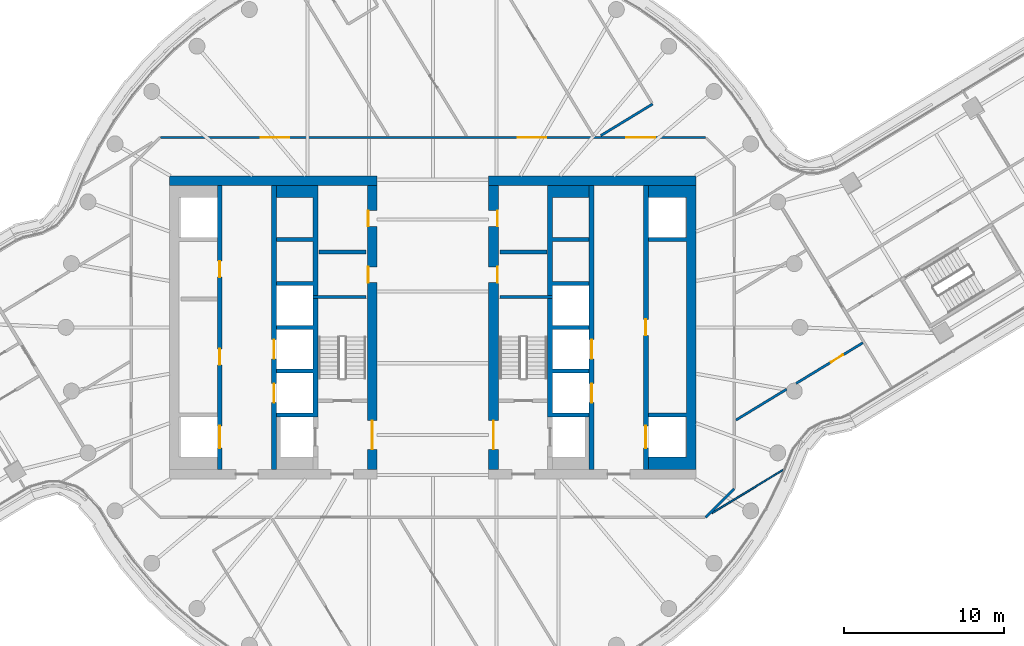
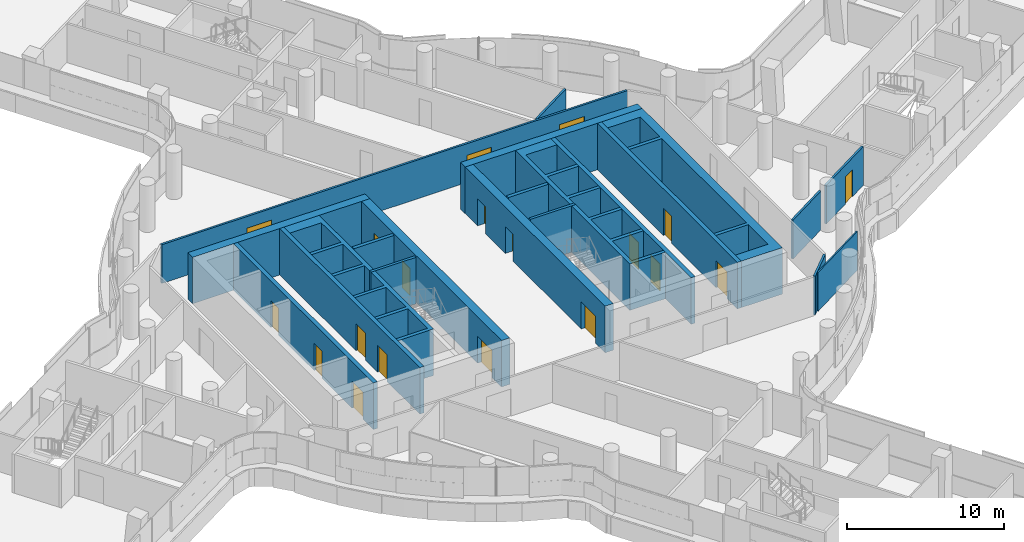
# One storey, part 23 of 35: 21 walls, 19 doors, 19 openings.
"""IFC4 building model written with IfcOpenShell, lengths in metres."""

import ifcopenshell
import ifcopenshell.guid

model = None  # the IFC model being written
_history = None  # IfcOwnerHistory: only IFC2X3 demands one
_inside = {}  # id of a spatial element -> (the spatial element, [elements in it])
_under = {}  # id of a project, library or spatial element -> (it, [spatial elements below it])
_declared = {}  # id of a project -> (the project, [libraries it declares])
_typed = {}  # id of a type object -> (the type object, [elements of that type])
_made_of = {}  # id of a material, layer set ... -> (it, [elements and type objects made of it])


def new_model(schema):
    """Start an empty IFC model of exactly this schema.

    Asked for "IFC4X3", IfcOpenShell would pick the latest addendum, in which some entities
    have other attributes; the version numbers below select the first issue.
    IFC2X3 requires an IfcOwnerHistory on every rooted entity: one is made here for all.
    """
    global model, _history
    if schema == "IFC4X3":
        model = ifcopenshell.file(schema_version=(4, 3, 0, 0))
    else:
        model = ifcopenshell.file(schema=schema)
    _inside.clear()
    _under.clear()
    _declared.clear()
    _typed.clear()
    _made_of.clear()
    _history = None
    if model.schema == "IFC2X3":
        org = make("IfcOrganization", Name="unknown")
        user = make(
            "IfcPersonAndOrganization",
            ThePerson=make("IfcPerson", FamilyName="unknown"),
            TheOrganization=org,
        )
        app = make(
            "IfcApplication",
            ApplicationDeveloper=org,
            Version="unknown",
            ApplicationFullName="unknown",
            ApplicationIdentifier="unknown",
        )
        _history = make(
            "IfcOwnerHistory",
            OwningUser=user,
            OwningApplication=app,
            ChangeAction="ADDED",
            CreationDate=0,
        )
    return model


def make(cls, **values):
    """One entity of the class cls with the attributes given. An attribute that is None is left unset."""
    return model.create_entity(
        cls, **{name: value for name, value in values.items() if value is not None}
    )


def rooted(cls, **values):
    """An entity with a GlobalId (a new one), such as an element, a storey or a relation."""
    return make(cls, GlobalId=ifcopenshell.guid.new(), OwnerHistory=_history, **values)


def si_unit(unit_type, name, prefix=None):
    """IfcSIUnit, for example si_unit("LENGTHUNIT", "METRE", prefix="MILLI")."""
    return make("IfcSIUnit", UnitType=unit_type, Prefix=prefix, Name=name)


def assignment(units):
    """IfcUnitAssignment: the units of a project."""
    return None if units is None else make("IfcUnitAssignment", Units=units)


def point(xyz):
    """IfcCartesianPoint."""
    return None if xyz is None else make("IfcCartesianPoint", Coordinates=xyz)


def direction(xyz):
    """IfcDirection."""
    return None if xyz is None else make("IfcDirection", DirectionRatios=xyz)


def frame(location, z_axis=None, x_axis=None):
    """IfcAxis2Placement3D, a coordinate frame: its origin and axes. An axis left out is left unset."""
    return make(
        "IfcAxis2Placement3D",
        Location=point(location),
        Axis=direction(z_axis),
        RefDirection=direction(x_axis),
    )


def frame_2d(location, x_axis=None):
    """IfcAxis2Placement2D, a coordinate frame in the plane: its origin and x axis."""
    return make(
        "IfcAxis2Placement2D", Location=point(location), RefDirection=direction(x_axis)
    )


def origin():
    """The frame at (0, 0, 0) with its axes left unset."""
    return frame((0.0, 0.0, 0.0))


def place(relative_to, where):
    """IfcLocalPlacement: puts the frame where relative to a parent placement (None: the world)."""
    return make(
        "IfcLocalPlacement", PlacementRelTo=relative_to, RelativePlacement=where
    )


def context(
    kind, dimensions, precision=None, world=None, true_north=None, identifier=None
):
    """IfcGeometricRepresentationContext, for example the 3D "Model" context."""
    return make(
        "IfcGeometricRepresentationContext",
        ContextIdentifier=identifier,
        ContextType=kind,
        CoordinateSpaceDimension=dimensions,
        Precision=precision,
        WorldCoordinateSystem=world,
        TrueNorth=true_north,
    )


def subcontext(parent, identifier, kind, view, scale=None):
    """IfcGeometricRepresentationSubContext, for example "Body" below "Model"."""
    return make(
        "IfcGeometricRepresentationSubContext",
        ContextIdentifier=identifier,
        ContextType=kind,
        ParentContext=parent,
        TargetScale=scale,
        TargetView=view,
    )


def project(units=None, contexts=None):
    """IfcProject with its units and contexts."""
    return rooted(
        "IfcProject",
        Name="project",
        RepresentationContexts=contexts,
        UnitsInContext=assignment(units),
    )


def spatial(cls, under=None, at=None, **own):
    """A site, building, storey or space (cls), placed at a placement, below another one or the project."""
    s = rooted(cls, ObjectPlacement=at, **own)
    if under is not None:
        _under.setdefault(under.id(), (under, []))[1].append(s)
    return s


def polyline(points):
    """IfcPolyline through the points."""
    return make("IfcPolyline", Points=[point(p) for p in points])


def profile(cls, at=None, kind="AREA", **sizes):
    """A parametric profile (cls). Its sizes go by their IFC names, for example OverallWidth=200.0."""
    return make(cls, ProfileType=kind, Position=at, **sizes)


def rectangle(**sizes):
    """IfcRectangleProfileDef."""
    return profile("IfcRectangleProfileDef", **sizes)


def outline(outer, holes=None, kind="AREA"):
    """IfcArbitraryClosedProfileDef: a profile drawn as a closed curve; with holes, ...WithVoids."""
    if holes is None:
        return make("IfcArbitraryClosedProfileDef", ProfileType=kind, OuterCurve=outer)
    return make(
        "IfcArbitraryProfileDefWithVoids",
        ProfileType=kind,
        OuterCurve=outer,
        InnerCurves=holes,
    )


def extrude(swept, where, along, depth):
    """IfcExtrudedAreaSolid: the profile swept, set in the frame where, extruded along a direction by depth."""
    return make(
        "IfcExtrudedAreaSolid",
        SweptArea=swept,
        Position=where,
        ExtrudedDirection=direction(along),
        Depth=depth,
    )


def shape(context_of_items, identifier, shape_type, items):
    """IfcShapeRepresentation: the items that make up one representation, for example the "Body"."""
    return make(
        "IfcShapeRepresentation",
        ContextOfItems=context_of_items,
        RepresentationIdentifier=identifier,
        RepresentationType=shape_type,
        Items=items,
    )


def material(Name=None, Category=None):
    """IfcMaterial."""
    return make("IfcMaterial", Name=Name, Category=Category)


def layer(
    of_material, thickness, ventilated=None, Name=None, Category=None, Priority=None
):
    """IfcMaterialLayer: one layer of a wall or slab, of a material (None: an air gap)."""
    return make(
        "IfcMaterialLayer",
        Material=of_material,
        LayerThickness=thickness,
        IsVentilated=ventilated,
        Name=Name,
        Category=Category,
        Priority=Priority,
    )


def layer_set(layers, Name=None):
    """IfcMaterialLayerSet."""
    return make("IfcMaterialLayerSet", MaterialLayers=layers, LayerSetName=Name)


def made_of(thing, what):
    """Note that an element or type object is made of a material, layer set ...; save() writes the relation."""
    if what is not None:
        _made_of.setdefault(what.id(), (what, []))[1].append(thing)
    return thing


def type_object(cls, material=None, **own):
    """A type object (cls), such as IfcWallType, which elements share."""
    return made_of(rooted(cls, **own), material)


def element(
    cls,
    number,
    at=None,
    inside=None,
    cuts=None,
    type_object=None,
    material=None,
    context=None,
    identifier="Body",
    shape_type=None,
    held_by="IfcProductDefinitionShape",
    body=None,
    shapes=None,
    **own,
):
    """One element of the class cls, such as IfcWall. Its Tag is "e" and its number.

    at: its placement. inside: the storey or other place that contains it. cuts: it is an
    opening in that element (IfcRelVoidsElement). A single representation is given by context,
    identifier, shape_type and body (its items); several are given by shapes. held_by: the class
    of the entity that holds the representations. save() writes the other relations.
    """
    e = rooted(cls, Tag="e%d" % number, ObjectPlacement=at, **own)
    if body is not None:
        shapes = [shape(context, identifier, shape_type, body)]
    if shapes is not None:
        e.Representation = make(held_by, Representations=shapes)
    if inside is not None:
        _inside.setdefault(inside.id(), (inside, []))[1].append(e)
    if cuts is not None:
        rooted(
            "IfcRelVoidsElement", RelatingBuildingElement=cuts, RelatedOpeningElement=e
        )
    if type_object is not None:
        _typed.setdefault(type_object.id(), (type_object, []))[1].append(e)
    return made_of(e, material)


def fill(opening, filler):
    """IfcRelFillsElement: the door or window that sits in an opening."""
    return rooted(
        "IfcRelFillsElement",
        RelatingOpeningElement=opening,
        RelatedBuildingElement=filler,
    )


def aggregate(whole, parts):
    """IfcRelAggregates: a whole, such as a stair, and the parts it consists of."""
    return rooted("IfcRelAggregates", RelatingObject=whole, RelatedObjects=parts)


def save(model, path):
    """Write the relations noted so far, then the file.

    IfcRelAggregates (storeys below a building ...), IfcRelContainedInSpatialStructure (elements
    in a storey), IfcRelDefinesByType, IfcRelAssociatesMaterial and IfcRelDeclares: one each for
    every whole, place, type object, material and project.
    """
    for whole, parts in _under.values():
        aggregate(whole, parts)
    for where, things in _inside.values():
        rooted(
            "IfcRelContainedInSpatialStructure",
            RelatedElements=things,
            RelatingStructure=where,
        )
    for kind, things in _typed.values():
        rooted("IfcRelDefinesByType", RelatedObjects=things, RelatingType=kind)
    for what, things in _made_of.values():
        rooted("IfcRelAssociatesMaterial", RelatedObjects=things, RelatingMaterial=what)
    for by, libraries in _declared.values():
        rooted("IfcRelDeclares", RelatingContext=by, RelatedDefinitions=libraries)
    model.write(path)


model = new_model("IFC4")

# Units and contexts
model_context = context("Model", 3, precision=1e-05, world=origin(), true_north=direction((0.0, 1.0)))
body_context = subcontext(model_context, "Body", "Model", "MODEL_VIEW")
ifc_project = project(units=[si_unit("LENGTHUNIT", "METRE"), si_unit("AREAUNIT", "SQUARE_METRE"), si_unit("VOLUMEUNIT", "CUBIC_METRE"), si_unit("PLANEANGLEUNIT", "RADIAN"), si_unit("MASSUNIT", "GRAM", prefix="KILO")], contexts=[model_context])

# Site, building, storey
site_placement = place(None, origin())
site = spatial("IfcSite", under=ifc_project, at=site_placement, CompositionType="ELEMENT")
building_placement = place(site_placement, origin())
building = spatial("IfcBuilding", under=site, at=building_placement, Name="Tamarind Cross Interchange Tower", CompositionType="ELEMENT")
storey_placement = place(building_placement, frame((0.0, 0.0, 148.0)))
storey = spatial("IfcBuildingStorey", under=building, at=storey_placement, Name="L36", CompositionType="ELEMENT", Elevation=148.0)

# Wall
ifc_material_1 = material(Name="Concrete C60", Category="concrete")
ifc_layer_1 = layer(ifc_material_1, 0.60009765625)
ifc_layer_set_1 = layer_set([ifc_layer_1], Name="Concrete C60")
wall_type_1 = type_object("IfcWallType", Name="Core wall 600 mm Concrete C60", PredefinedType="SHEAR", material=ifc_layer_set_1)
wall_1_placement = place(storey_placement, frame((-16.5, 9.199951171875, 0.0), z_axis=(0.0, 0.0, 1.0), x_axis=(1.0, 0.0, 0.0)))
element("IfcWall", 1, at=wall_1_placement, inside=storey, type_object=wall_type_1, Name="Core wall CWL-L36-W-NE", PredefinedType="SHEAR", context=body_context, shape_type="SweptSolid", body=[
    extrude(rectangle(XDim=13.0, YDim=0.60009765625, at=frame_2d((6.5, 0.0))), origin(), (0.0, 0.0, 1.0), 3.610107421875),
])

# Wall, openings, doors
wall_2_placement = place(storey_placement, frame((-3.800048828125, -8.89990234375, 0.0), z_axis=(0.0, 0.0, 1.0), x_axis=(0.0, 1.0, 0.0)))
wall_2 = element("IfcWall", 2, at=wall_2_placement, inside=storey, type_object=wall_type_1, Name="Core wall CWL-L36-W-IN", PredefinedType="SHEAR", context=body_context, shape_type="SweptSolid", body=[
    extrude(rectangle(XDim=17.7998046875, YDim=0.60009765625, at=frame_2d((8.89990234375, 0.0))), origin(), (0.0, 0.0, 1.0), 3.610107421875),
])
opening_1_placement = place(wall_2_placement, frame((1.25, 0.0, 0.0)))
opening_1 = element("IfcOpeningElement", 3, at=opening_1_placement, cuts=wall_2, Name="Opening DCW4", PredefinedType="OPENING", context=body_context, shape_type="SweptSolid", body=[
    extrude(rectangle(XDim=1.800048828125, YDim=2.10009765625, at=frame_2d((0.89990234375, 1.050048828125))), frame((0.0, 0.31005859375, 0.0), z_axis=(0.0, -1.0, 0.0), x_axis=(1.0, 0.0, 0.0)), (0.0, 0.0, 1.0), 0.6201171875),
])
opening_2_placement = place(wall_2_placement, frame((11.697509765625, 0.0, 0.0)))
opening_2 = element("IfcOpeningElement", 4, at=opening_2_placement, cuts=wall_2, Name="Opening DCW5", PredefinedType="OPENING", context=body_context, shape_type="SweptSolid", body=[
    extrude(rectangle(XDim=1.0, YDim=2.10009765625, at=frame_2d((0.5, 1.050048828125))), frame((0.0, 0.31005859375, 0.0), z_axis=(0.0, -1.0, 0.0), x_axis=(1.0, 0.0, 0.0)), (0.0, 0.0, 1.0), 0.6201171875),
])
opening_3_placement = place(wall_2_placement, frame((15.222412109375, 0.0, 0.0)))
opening_3 = element("IfcOpeningElement", 5, at=opening_3_placement, cuts=wall_2, Name="Opening DCW5", PredefinedType="OPENING", context=body_context, shape_type="SweptSolid", body=[
    extrude(rectangle(XDim=1.0, YDim=2.10009765625, at=frame_2d((0.5, 1.050048828125))), frame((0.0, 0.31005859375, 0.0), z_axis=(0.0, -1.0, 0.0), x_axis=(1.0, 0.0, 0.0)), (0.0, 0.0, 1.0), 0.6201171875),
])
ifc_material_2 = material(Name="Steel, fire-resisting", Category="steel")
door_type_1 = type_object("IfcDoorType", Name="Core fire door 1000 x 2100 FD90", OperationType="SINGLE_SWING_LEFT", PredefinedType="DOOR", material=ifc_material_2)
door_1_placement = place(opening_2_placement, origin())
door_1 = element("IfcDoor", 6, at=door_1_placement, inside=storey, type_object=door_type_1, Name="L36 comms room door", OperationType="SINGLE_SWING_LEFT", OverallHeight=2.10009765625, OverallWidth=1.0, PredefinedType="DOOR", context=body_context, shape_type="SweptSolid", body=[
    extrude(rectangle(XDim=1.0, YDim=2.10009765625, at=frame_2d((0.5, 1.050048828125))), frame((0.0, 0.27490234375, 0.0), z_axis=(0.0, -1.0, 0.0), x_axis=(1.0, 0.0, 0.0)), (0.0, 0.0, 1.0), 0.050048828125),
])
fill(opening_2, door_1)
door_2_placement = place(opening_3_placement, origin())
door_2 = element("IfcDoor", 7, at=door_2_placement, inside=storey, type_object=door_type_1, Name="L36 cleaner's store door", OperationType="SINGLE_SWING_LEFT", OverallHeight=2.10009765625, OverallWidth=1.0, PredefinedType="DOOR", context=body_context, shape_type="SweptSolid", body=[
    extrude(rectangle(XDim=1.0, YDim=2.10009765625, at=frame_2d((0.5, 1.050048828125))), frame((0.0, 0.27490234375, 0.0), z_axis=(0.0, -1.0, 0.0), x_axis=(1.0, 0.0, 0.0)), (0.0, 0.0, 1.0), 0.050048828125),
])
fill(opening_3, door_2)
door_type_2 = type_object("IfcDoorType", Name="Core fire door 1800 x 2100 FD90", OperationType="SINGLE_SWING_LEFT", PredefinedType="DOOR", material=ifc_material_2)
door_3_placement = place(opening_1_placement, origin())
door_3 = element("IfcDoor", 8, at=door_3_placement, inside=storey, type_object=door_type_2, Name="L36 firefighting lobby door", OperationType="SINGLE_SWING_LEFT", OverallHeight=2.10009765625, OverallWidth=1.800048828125, PredefinedType="DOOR", context=body_context, shape_type="SweptSolid", body=[
    extrude(rectangle(XDim=1.800048828125, YDim=2.10009765625, at=frame_2d((0.89990234375, 1.050048828125))), frame((0.0, 0.02490234375, 0.0), z_axis=(0.0, -1.0, 0.0), x_axis=(1.0, 0.0, 0.0)), (0.0, 0.0, 1.0), 0.050048828125),
])
fill(opening_1, door_3)

# Walls
wall_3_placement = place(storey_placement, origin())
element("IfcWall", 9, at=wall_3_placement, inside=storey, type_object=wall_type_1, Name="Core wall CWL-L36-E-A", PredefinedType="SHEAR", context=body_context, shape_type="SweptSolid", body=[
    extrude(outline(polyline([(13.5, -8.125), (13.5, -8.89990234375), (15.89990234375, -8.89990234375), (16.5, -8.89990234375), (16.5, 8.89990234375), (15.89990234375, 8.89990234375), (13.5, 8.89990234375), (13.5, 8.125), (15.89990234375, 8.125), (15.89990234375, 5.625), (13.5, 5.625), (13.5, 5.375), (15.89990234375, 5.375), (15.89990234375, -5.375), (13.5, -5.375), (13.5, -5.625), (15.89990234375, -5.625), (15.89990234375, -8.125), (13.5, -8.125)])), origin(), (0.0, 0.0, 1.0), 3.610107421875),
])
wall_4_placement = place(storey_placement, frame((16.5, 9.199951171875, 0.0), z_axis=(0.0, 0.0, 1.0), x_axis=(-1.0, 0.0, 0.0)))
element("IfcWall", 10, at=wall_4_placement, inside=storey, type_object=wall_type_1, Name="Core wall CWL-L36-E-NE", PredefinedType="SHEAR", context=body_context, shape_type="SweptSolid", body=[
    extrude(rectangle(XDim=13.0, YDim=0.60009765625, at=frame_2d((6.5, 0.0))), origin(), (0.0, 0.0, 1.0), 3.610107421875),
])

# Wall, openings, doors
wall_5_placement = place(storey_placement, frame((3.800048828125, -8.89990234375, 0.0), z_axis=(0.0, 0.0, 1.0), x_axis=(0.0, 1.0, 0.0)))
wall_5 = element("IfcWall", 11, at=wall_5_placement, inside=storey, type_object=wall_type_1, Name="Core wall CWL-L36-E-IN", PredefinedType="SHEAR", context=body_context, shape_type="SweptSolid", body=[
    extrude(rectangle(XDim=17.7998046875, YDim=0.60009765625, at=frame_2d((8.89990234375, 0.0))), origin(), (0.0, 0.0, 1.0), 3.610107421875),
])
opening_4_placement = place(wall_5_placement, frame((1.25, 0.0, 0.0)))
opening_4 = element("IfcOpeningElement", 12, at=opening_4_placement, cuts=wall_5, Name="Opening DCE4", PredefinedType="OPENING", context=body_context, shape_type="SweptSolid", body=[
    extrude(rectangle(XDim=1.800048828125, YDim=2.10009765625, at=frame_2d((0.89990234375, 1.050048828125))), frame((0.0, 0.31005859375, 0.0), z_axis=(0.0, -1.0, 0.0), x_axis=(1.0, 0.0, 0.0)), (0.0, 0.0, 1.0), 0.6201171875),
])
opening_5_placement = place(wall_5_placement, frame((11.697509765625, 0.0, 0.0)))
opening_5 = element("IfcOpeningElement", 13, at=opening_5_placement, cuts=wall_5, Name="Opening DCE5", PredefinedType="OPENING", context=body_context, shape_type="SweptSolid", body=[
    extrude(rectangle(XDim=1.0, YDim=2.10009765625, at=frame_2d((0.5, 1.050048828125))), frame((0.0, 0.31005859375, 0.0), z_axis=(0.0, -1.0, 0.0), x_axis=(1.0, 0.0, 0.0)), (0.0, 0.0, 1.0), 0.6201171875),
])
opening_6_placement = place(wall_5_placement, frame((15.222412109375, 0.0, 0.0)))
opening_6 = element("IfcOpeningElement", 14, at=opening_6_placement, cuts=wall_5, Name="Opening DCE5", PredefinedType="OPENING", context=body_context, shape_type="SweptSolid", body=[
    extrude(rectangle(XDim=1.0, YDim=2.10009765625, at=frame_2d((0.5, 1.050048828125))), frame((0.0, 0.31005859375, 0.0), z_axis=(0.0, -1.0, 0.0), x_axis=(1.0, 0.0, 0.0)), (0.0, 0.0, 1.0), 0.6201171875),
])
door_4_placement = place(opening_5_placement, origin())
door_4 = element("IfcDoor", 15, at=door_4_placement, inside=storey, type_object=door_type_1, Name="L36 comms room door", OperationType="SINGLE_SWING_LEFT", OverallHeight=2.10009765625, OverallWidth=1.0, PredefinedType="DOOR", context=body_context, shape_type="SweptSolid", body=[
    extrude(rectangle(XDim=1.0, YDim=2.10009765625, at=frame_2d((0.5, 1.050048828125))), frame((0.0, -0.22509765625, 0.0), z_axis=(0.0, -1.0, 0.0), x_axis=(1.0, 0.0, 0.0)), (0.0, 0.0, 1.0), 0.050048828125),
])
fill(opening_5, door_4)
door_5_placement = place(opening_6_placement, origin())
door_5 = element("IfcDoor", 16, at=door_5_placement, inside=storey, type_object=door_type_1, Name="L36 cleaner's store door", OperationType="SINGLE_SWING_LEFT", OverallHeight=2.10009765625, OverallWidth=1.0, PredefinedType="DOOR", context=body_context, shape_type="SweptSolid", body=[
    extrude(rectangle(XDim=1.0, YDim=2.10009765625, at=frame_2d((0.5, 1.050048828125))), frame((0.0, -0.22509765625, 0.0), z_axis=(0.0, -1.0, 0.0), x_axis=(1.0, 0.0, 0.0)), (0.0, 0.0, 1.0), 0.050048828125),
])
fill(opening_6, door_5)
door_6_placement = place(opening_4_placement, origin())
door_6 = element("IfcDoor", 17, at=door_6_placement, inside=storey, type_object=door_type_2, Name="L36 firefighting lobby door", OperationType="SINGLE_SWING_LEFT", OverallHeight=2.10009765625, OverallWidth=1.800048828125, PredefinedType="DOOR", context=body_context, shape_type="SweptSolid", body=[
    extrude(rectangle(XDim=1.800048828125, YDim=2.10009765625, at=frame_2d((0.89990234375, 1.050048828125))), frame((0.0, 0.02490234375, 0.0), z_axis=(0.0, -1.0, 0.0), x_axis=(1.0, 0.0, 0.0)), (0.0, 0.0, 1.0), 0.050048828125),
])
fill(opening_4, door_6)

# Walls
ifc_layer_2 = layer(ifc_material_1, 0.199951171875)
ifc_layer_set_2 = layer_set([ifc_layer_2], Name="Concrete C60")
wall_type_2 = type_object("IfcWallType", Name="Core web wall 200 mm Concrete C60", PredefinedType="SHEAR", material=ifc_layer_set_2)
for number, where, z_axis, x_axis, name in (
    (18, (-7.5, 1.89990234375, 0.0), (0.0, 0.0, 1.0), (1.0, 0.0, 0.0), "Core wall CWL-L36-W-BD"),
    (19, (7.5, 1.89990234375, 0.0), (0.0, 0.0, 1.0), (-1.0, 0.0, 0.0), "Core wall CWL-L36-E-BD"),
):
    element("IfcWall", number, at=place(storey_placement, frame(where, z_axis=z_axis, x_axis=x_axis)), inside=storey, type_object=wall_type_2, Name=name, PredefinedType="SHEAR", context=body_context, shape_type="SweptSolid", body=[
        extrude(rectangle(XDim=3.300048828125, YDim=0.199951171875, at=frame_2d((1.64990234375, 0.0))), origin(), (0.0, 0.0, 1.0), 3.610107421875),
    ])
ifc_layer_3 = layer(ifc_material_1, 0.300048828125)
ifc_layer_set_3 = layer_set([ifc_layer_3], Name="Concrete C60")
wall_type_3 = type_object("IfcWallType", Name="Core web wall 300 mm Concrete C60", PredefinedType="SHEAR", material=ifc_layer_set_3)
wall_6_placement = place(storey_placement, origin())
element("IfcWall", 20, at=wall_6_placement, inside=storey, type_object=wall_type_3, Name="Core wall CWL-L36-W-BN", PredefinedType="SHEAR", context=body_context, shape_type="SweptSolid", body=[
    extrude(outline(polyline([(-9.800048828125, -5.375), (-9.800048828125, -5.625), (-7.5, -5.625), (-7.199951171875, -5.625), (-7.199951171875, 8.89990234375), (-7.5, 8.89990234375), (-9.800048828125, 8.89990234375), (-9.800048828125, 8.125), (-7.5, 8.125), (-7.5, 5.625), (-9.800048828125, 5.625), (-9.800048828125, 5.375), (-7.5, 5.375), (-7.5, 2.875), (-9.800048828125, 2.875), (-9.800048828125, 2.625), (-7.5, 2.625), (-7.5, 0.125), (-9.800048828125, 0.125), (-9.800048828125, -0.125), (-7.5, -0.125), (-7.5, -2.625), (-9.800048828125, -2.625), (-9.800048828125, -2.875), (-7.5, -2.875), (-7.5, -5.375), (-9.800048828125, -5.375)])), origin(), (0.0, 0.0, 1.0), 3.610107421875),
])

# Wall, openings, doors
wall_7_placement = place(storey_placement, frame((-13.35009765625, -8.89990234375, 0.0), z_axis=(0.0, 0.0, 1.0), x_axis=(0.0, 1.0, 0.0)))
wall_7 = element("IfcWall", 21, at=wall_7_placement, inside=storey, type_object=wall_type_3, Name="Core wall CWL-L36-W-LA", PredefinedType="SHEAR", context=body_context, shape_type="SweptSolid", body=[
    extrude(rectangle(XDim=17.7998046875, YDim=0.300048828125, at=frame_2d((8.89990234375, 0.0))), origin(), (0.0, 0.0, 1.0), 3.610107421875),
])
opening_7_placement = place(wall_7_placement, frame((1.324951171875, 0.0, 0.0)))
opening_7 = element("IfcOpeningElement", 22, at=opening_7_placement, cuts=wall_7, Name="Opening LD1L36", PredefinedType="OPENING", context=body_context, shape_type="SweptSolid", body=[
    extrude(rectangle(XDim=1.39990234375, YDim=2.10009765625, at=frame_2d((0.699951171875, 1.050048828125))), frame((0.0, 0.159912109375, 0.0), z_axis=(0.0, -1.0, 0.0), x_axis=(1.0, 0.0, 0.0)), (0.0, 0.0, 1.0), 0.320068359375),
])
opening_8_placement = place(wall_7_placement, frame((6.5458984375, 0.0, 0.0)))
opening_8 = element("IfcOpeningElement", 23, at=opening_8_placement, cuts=wall_7, Name="Opening DCW9", PredefinedType="OPENING", context=body_context, shape_type="SweptSolid", body=[
    extrude(rectangle(XDim=1.0, YDim=2.10009765625, at=frame_2d((0.5, 1.050048828125))), frame((0.0, 0.159912109375, 0.0), z_axis=(0.0, -1.0, 0.0), x_axis=(1.0, 0.0, 0.0)), (0.0, 0.0, 1.0), 0.320068359375),
])
opening_9_placement = place(wall_7_placement, frame((12.0458984375, 0.0, 0.0)))
opening_9 = element("IfcOpeningElement", 24, at=opening_9_placement, cuts=wall_7, Name="Opening DCW10", PredefinedType="OPENING", context=body_context, shape_type="SweptSolid", body=[
    extrude(rectangle(XDim=1.0, YDim=2.10009765625, at=frame_2d((0.5, 1.050048828125))), frame((0.0, 0.159912109375, 0.0), z_axis=(0.0, -1.0, 0.0), x_axis=(1.0, 0.0, 0.0)), (0.0, 0.0, 1.0), 0.320068359375),
])
door_7_placement = place(opening_8_placement, origin())
door_7 = element("IfcDoor", 25, at=door_7_placement, inside=storey, type_object=door_type_1, Name="L36 Cable room door", OperationType="SINGLE_SWING_LEFT", OverallHeight=2.10009765625, OverallWidth=1.0, PredefinedType="DOOR", context=body_context, shape_type="SweptSolid", body=[
    extrude(rectangle(XDim=1.0, YDim=2.10009765625, at=frame_2d((0.5, 1.050048828125))), frame((0.0, 0.02490234375, 0.0), z_axis=(0.0, -1.0, 0.0), x_axis=(1.0, 0.0, 0.0)), (0.0, 0.0, 1.0), 0.050048828125),
])
fill(opening_8, door_7)
door_8_placement = place(opening_9_placement, origin())
door_8 = element("IfcDoor", 26, at=door_8_placement, inside=storey, type_object=door_type_1, Name="L36 Meter room door", OperationType="SINGLE_SWING_LEFT", OverallHeight=2.10009765625, OverallWidth=1.0, PredefinedType="DOOR", context=body_context, shape_type="SweptSolid", body=[
    extrude(rectangle(XDim=1.0, YDim=2.10009765625, at=frame_2d((0.5, 1.050048828125))), frame((0.0, 0.02490234375, 0.0), z_axis=(0.0, -1.0, 0.0), x_axis=(1.0, 0.0, 0.0)), (0.0, 0.0, 1.0), 0.050048828125),
])
fill(opening_9, door_8)
ifc_material_3 = material(Name="Stainless steel panel", Category="steel")
door_type_3 = type_object("IfcDoorType", Name="Lift landing door 1400 x 2100 E 120", OperationType="SLIDING_TO_LEFT", PredefinedType="DOOR", material=ifc_material_3)
door_9_placement = place(opening_7_placement, origin())
door_9 = element("IfcDoor", 27, at=door_9_placement, inside=storey, type_object=door_type_3, Name="L36 landing door LF1", OperationType="SLIDING_TO_LEFT", OverallHeight=2.10009765625, OverallWidth=1.39990234375, PredefinedType="DOOR", context=body_context, shape_type="SweptSolid", body=[
    extrude(rectangle(XDim=1.39990234375, YDim=2.10009765625, at=frame_2d((0.699951171875, 1.050048828125))), frame((0.0, 0.02490234375, 0.0), z_axis=(0.0, -1.0, 0.0), x_axis=(1.0, 0.0, 0.0)), (0.0, 0.0, 1.0), 0.050048828125),
])
fill(opening_7, door_9)

wall_8_placement = place(storey_placement, frame((-9.949951171875, -8.89990234375, 0.0), z_axis=(0.0, 0.0, 1.0), x_axis=(0.0, 1.0, 0.0)))
wall_8 = element("IfcWall", 28, at=wall_8_placement, inside=storey, type_object=wall_type_3, Name="Core wall CWL-L36-W-LB", PredefinedType="SHEAR", context=body_context, shape_type="SweptSolid", body=[
    extrude(rectangle(XDim=17.7998046875, YDim=0.300048828125, at=frame_2d((8.89990234375, 0.0))), origin(), (0.0, 0.0, 1.0), 3.610107421875),
])
opening_10_placement = place(wall_8_placement, frame((4.175048828125, 0.0, 0.0)))
opening_10 = element("IfcOpeningElement", 29, at=opening_10_placement, cuts=wall_8, Name="Opening LD8L36", PredefinedType="OPENING", context=body_context, shape_type="SweptSolid", body=[
    extrude(rectangle(XDim=1.199951171875, YDim=2.10009765625, at=frame_2d((0.60009765625, 1.050048828125))), frame((0.0, 0.159912109375, 0.0), z_axis=(0.0, -1.0, 0.0), x_axis=(1.0, 0.0, 0.0)), (0.0, 0.0, 1.0), 0.320068359375),
])
opening_11_placement = place(wall_8_placement, frame((6.925048828125, 0.0, 0.0)))
opening_11 = element("IfcOpeningElement", 30, at=opening_11_placement, cuts=wall_8, Name="Opening LD9L36", PredefinedType="OPENING", context=body_context, shape_type="SweptSolid", body=[
    extrude(rectangle(XDim=1.199951171875, YDim=2.10009765625, at=frame_2d((0.60009765625, 1.050048828125))), frame((0.0, 0.159912109375, 0.0), z_axis=(0.0, -1.0, 0.0), x_axis=(1.0, 0.0, 0.0)), (0.0, 0.0, 1.0), 0.320068359375),
])
door_type_4 = type_object("IfcDoorType", Name="Lift landing door 1200 x 2100 E 120", OperationType="SLIDING_TO_LEFT", PredefinedType="DOOR", material=ifc_material_3)
door_10_placement = place(opening_10_placement, origin())
door_10 = element("IfcDoor", 31, at=door_10_placement, inside=storey, type_object=door_type_4, Name="L36 landing door LF8", OperationType="SLIDING_TO_LEFT", OverallHeight=2.10009765625, OverallWidth=1.199951171875, PredefinedType="DOOR", context=body_context, shape_type="SweptSolid", body=[
    extrude(rectangle(XDim=1.199951171875, YDim=2.10009765625, at=frame_2d((0.60009765625, 1.050048828125))), frame((0.0, 0.02490234375, 0.0), z_axis=(0.0, -1.0, 0.0), x_axis=(1.0, 0.0, 0.0)), (0.0, 0.0, 1.0), 0.050048828125),
])
fill(opening_10, door_10)
door_11_placement = place(opening_11_placement, origin())
door_11 = element("IfcDoor", 32, at=door_11_placement, inside=storey, type_object=door_type_4, Name="L36 landing door LF9", OperationType="SLIDING_TO_LEFT", OverallHeight=2.10009765625, OverallWidth=1.199951171875, PredefinedType="DOOR", context=body_context, shape_type="SweptSolid", body=[
    extrude(rectangle(XDim=1.199951171875, YDim=2.10009765625, at=frame_2d((0.60009765625, 1.050048828125))), frame((0.0, 0.02490234375, 0.0), z_axis=(0.0, -1.0, 0.0), x_axis=(1.0, 0.0, 0.0)), (0.0, 0.0, 1.0), 0.050048828125),
])
fill(opening_11, door_11)

# Wall
wall_9_placement = place(storey_placement, origin())
element("IfcWall", 33, at=wall_9_placement, inside=storey, type_object=wall_type_3, Name="Core wall CWL-L36-E-BN", PredefinedType="SHEAR", context=body_context, shape_type="SweptSolid", body=[
    extrude(outline(polyline([(9.800048828125, -5.375), (7.5, -5.375), (7.5, -2.875), (9.800048828125, -2.875), (9.800048828125, -2.625), (7.5, -2.625), (7.5, -0.125), (9.800048828125, -0.125), (9.800048828125, 0.125), (7.5, 0.125), (7.5, 2.625), (9.800048828125, 2.625), (9.800048828125, 2.875), (7.5, 2.875), (7.5, 5.375), (9.800048828125, 5.375), (9.800048828125, 5.625), (7.5, 5.625), (7.5, 8.125), (9.800048828125, 8.125), (9.800048828125, 8.89990234375), (7.5, 8.89990234375), (7.199951171875, 8.89990234375), (7.199951171875, -5.625), (7.5, -5.625), (9.800048828125, -5.625), (9.800048828125, -5.375)])), origin(), (0.0, 0.0, 1.0), 3.610107421875),
])

# Wall, openings, doors
wall_10_placement = place(storey_placement, frame((13.35009765625, -8.89990234375, 0.0), z_axis=(0.0, 0.0, 1.0), x_axis=(0.0, 1.0, 0.0)))
wall_10 = element("IfcWall", 34, at=wall_10_placement, inside=storey, type_object=wall_type_3, Name="Core wall CWL-L36-E-LA", PredefinedType="SHEAR", context=body_context, shape_type="SweptSolid", body=[
    extrude(rectangle(XDim=17.7998046875, YDim=0.300048828125, at=frame_2d((8.89990234375, 0.0))), origin(), (0.0, 0.0, 1.0), 3.610107421875),
])
opening_12_placement = place(wall_10_placement, frame((1.324951171875, 0.0, 0.0)))
opening_12 = element("IfcOpeningElement", 35, at=opening_12_placement, cuts=wall_10, Name="Opening LD13L36", PredefinedType="OPENING", context=body_context, shape_type="SweptSolid", body=[
    extrude(rectangle(XDim=1.39990234375, YDim=2.10009765625, at=frame_2d((0.699951171875, 1.050048828125))), frame((0.0, 0.159912109375, 0.0), z_axis=(0.0, -1.0, 0.0), x_axis=(1.0, 0.0, 0.0)), (0.0, 0.0, 1.0), 0.320068359375),
])
opening_13_placement = place(wall_10_placement, frame((8.39990234375, 0.0, 0.0)))
opening_13 = element("IfcOpeningElement", 36, at=opening_13_placement, cuts=wall_10, Name="Opening DCE9", PredefinedType="OPENING", context=body_context, shape_type="SweptSolid", body=[
    extrude(rectangle(XDim=1.0, YDim=2.10009765625, at=frame_2d((0.5, 1.050048828125))), frame((0.0, 0.159912109375, 0.0), z_axis=(0.0, -1.0, 0.0), x_axis=(1.0, 0.0, 0.0)), (0.0, 0.0, 1.0), 0.320068359375),
])
door_12_placement = place(opening_13_placement, origin())
door_12 = element("IfcDoor", 37, at=door_12_placement, inside=storey, type_object=door_type_1, Name="L36 Meter room door", OperationType="SINGLE_SWING_LEFT", OverallHeight=2.10009765625, OverallWidth=1.0, PredefinedType="DOOR", context=body_context, shape_type="SweptSolid", body=[
    extrude(rectangle(XDim=1.0, YDim=2.10009765625, at=frame_2d((0.5, 1.050048828125))), frame((0.0, 0.02490234375, 0.0), z_axis=(0.0, -1.0, 0.0), x_axis=(1.0, 0.0, 0.0)), (0.0, 0.0, 1.0), 0.050048828125),
])
fill(opening_13, door_12)
door_13_placement = place(opening_12_placement, origin())
door_13 = element("IfcDoor", 38, at=door_13_placement, inside=storey, type_object=door_type_3, Name="L36 landing door LF13", OperationType="SLIDING_TO_LEFT", OverallHeight=2.10009765625, OverallWidth=1.39990234375, PredefinedType="DOOR", context=body_context, shape_type="SweptSolid", body=[
    extrude(rectangle(XDim=1.39990234375, YDim=2.10009765625, at=frame_2d((0.699951171875, 1.050048828125))), frame((0.0, 0.02490234375, 0.0), z_axis=(0.0, -1.0, 0.0), x_axis=(1.0, 0.0, 0.0)), (0.0, 0.0, 1.0), 0.050048828125),
])
fill(opening_12, door_13)

wall_11_placement = place(storey_placement, frame((9.949951171875, -8.89990234375, 0.0), z_axis=(0.0, 0.0, 1.0), x_axis=(0.0, 1.0, 0.0)))
wall_11 = element("IfcWall", 39, at=wall_11_placement, inside=storey, type_object=wall_type_3, Name="Core wall CWL-L36-E-LB", PredefinedType="SHEAR", context=body_context, shape_type="SweptSolid", body=[
    extrude(rectangle(XDim=17.7998046875, YDim=0.300048828125, at=frame_2d((8.89990234375, 0.0))), origin(), (0.0, 0.0, 1.0), 3.610107421875),
])
opening_14_placement = place(wall_11_placement, frame((4.175048828125, 0.0, 0.0)))
opening_14 = element("IfcOpeningElement", 40, at=opening_14_placement, cuts=wall_11, Name="Opening LD20L36", PredefinedType="OPENING", context=body_context, shape_type="SweptSolid", body=[
    extrude(rectangle(XDim=1.199951171875, YDim=2.10009765625, at=frame_2d((0.60009765625, 1.050048828125))), frame((0.0, 0.159912109375, 0.0), z_axis=(0.0, -1.0, 0.0), x_axis=(1.0, 0.0, 0.0)), (0.0, 0.0, 1.0), 0.320068359375),
])
opening_15_placement = place(wall_11_placement, frame((6.925048828125, 0.0, 0.0)))
opening_15 = element("IfcOpeningElement", 41, at=opening_15_placement, cuts=wall_11, Name="Opening LD21L36", PredefinedType="OPENING", context=body_context, shape_type="SweptSolid", body=[
    extrude(rectangle(XDim=1.199951171875, YDim=2.10009765625, at=frame_2d((0.60009765625, 1.050048828125))), frame((0.0, 0.159912109375, 0.0), z_axis=(0.0, -1.0, 0.0), x_axis=(1.0, 0.0, 0.0)), (0.0, 0.0, 1.0), 0.320068359375),
])
door_14_placement = place(opening_14_placement, origin())
door_14 = element("IfcDoor", 42, at=door_14_placement, inside=storey, type_object=door_type_4, Name="L36 landing door LF20", OperationType="SLIDING_TO_LEFT", OverallHeight=2.10009765625, OverallWidth=1.199951171875, PredefinedType="DOOR", context=body_context, shape_type="SweptSolid", body=[
    extrude(rectangle(XDim=1.199951171875, YDim=2.10009765625, at=frame_2d((0.60009765625, 1.050048828125))), frame((0.0, 0.02490234375, 0.0), z_axis=(0.0, -1.0, 0.0), x_axis=(1.0, 0.0, 0.0)), (0.0, 0.0, 1.0), 0.050048828125),
])
fill(opening_14, door_14)
door_15_placement = place(opening_15_placement, origin())
door_15 = element("IfcDoor", 43, at=door_15_placement, inside=storey, type_object=door_type_4, Name="L36 landing door LF21", OperationType="SLIDING_TO_LEFT", OverallHeight=2.10009765625, OverallWidth=1.199951171875, PredefinedType="DOOR", context=body_context, shape_type="SweptSolid", body=[
    extrude(rectangle(XDim=1.199951171875, YDim=2.10009765625, at=frame_2d((0.60009765625, 1.050048828125))), frame((0.0, 0.02490234375, 0.0), z_axis=(0.0, -1.0, 0.0), x_axis=(1.0, 0.0, 0.0)), (0.0, 0.0, 1.0), 0.050048828125),
])
fill(opening_15, door_15)

# Wall
ifc_material_4 = material(Name="Gypsum board partition on steel studs", Category="steel")
ifc_layer_4 = layer(ifc_material_4, 0.10009765625)
ifc_layer_set_4 = layer_set([ifc_layer_4], Name="Gypsum board partition on steel studs")
wall_type_4 = type_object("IfcWallType", Name="Partition 100 mm EI 120", PredefinedType="PARTITIONING", material=ifc_layer_set_4)
wall_12_placement = place(storey_placement, frame((17.484619140625, -11.64892578125, 0.0), z_axis=(0.0, 0.0, 1.0), x_axis=(0.854029500241, 0.520224579118, 0.0)))
element("IfcWall", 44, at=wall_12_placement, inside=storey, type_object=wall_type_4, Name="Partition L36-063", PredefinedType="PARTITIONING", context=body_context, shape_type="SweptSolid", body=[
    extrude(rectangle(XDim=5.21630859375, YDim=0.10009765625, at=frame_2d((2.608154296875, 0.0))), origin(), (0.0, 0.0, 1.0), 3.010009765625),
])

# Wall, openings, doors
ifc_layer_5 = layer(ifc_material_4, 0.14990234375)
ifc_layer_set_5 = layer_set([ifc_layer_5], Name="Gypsum board partition on steel studs")
wall_type_5 = type_object("IfcWallType", Name="Partition 150 mm EI 120", PredefinedType="PARTITIONING", material=ifc_layer_set_5)
wall_13_placement = place(storey_placement, frame((-17.06494140625, 11.89990234375, 0.0), z_axis=(0.0, 0.0, 1.0), x_axis=(1.0, 0.0, 0.0)))
wall_13 = element("IfcWall", 45, at=wall_13_placement, inside=storey, type_object=wall_type_5, Name="Partition L36-035", PredefinedType="PARTITIONING", context=body_context, shape_type="SweptSolid", body=[
    extrude(rectangle(XDim=34.1650390625, YDim=0.14990234375, at=frame_2d((17.08251953125, 0.0))), origin(), (0.0, 0.0, 1.0), 3.010009765625),
])
opening_16_placement = place(wall_13_placement, frame((22.385986328125, 0.0, 0.0)))
opening_16 = element("IfcOpeningElement", 46, at=opening_16_placement, cuts=wall_13, Name="Opening D24", PredefinedType="OPENING", context=body_context, shape_type="SweptSolid", body=[
    extrude(rectangle(XDim=1.800048828125, YDim=2.10009765625, at=frame_2d((0.89990234375, 1.050048828125))), frame((0.0, 0.0849609375, 0.0), z_axis=(0.0, -1.0, 0.0), x_axis=(1.0, 0.0, 0.0)), (0.0, 0.0, 1.0), 0.169921875),
])
opening_17_placement = place(wall_13_placement, frame((29.196044921875, 0.0, 0.0)))
opening_17 = element("IfcOpeningElement", 47, at=opening_17_placement, cuts=wall_13, Name="Opening D25", PredefinedType="OPENING", context=body_context, shape_type="SweptSolid", body=[
    extrude(rectangle(XDim=1.800048828125, YDim=2.10009765625, at=frame_2d((0.89990234375, 1.050048828125))), frame((0.0, 0.0849609375, 0.0), z_axis=(0.0, -1.0, 0.0), x_axis=(1.0, 0.0, 0.0)), (0.0, 0.0, 1.0), 0.169921875),
])
opening_18_placement = place(wall_13_placement, frame((6.264892578125, 0.0, 0.0)))
opening_18 = element("IfcOpeningElement", 48, at=opening_18_placement, cuts=wall_13, Name="Opening D26", PredefinedType="OPENING", context=body_context, shape_type="SweptSolid", body=[
    extrude(rectangle(XDim=1.800048828125, YDim=2.10009765625, at=frame_2d((0.89990234375, 1.050048828125))), frame((0.0, 0.0849609375, 0.0), z_axis=(0.0, -1.0, 0.0), x_axis=(1.0, 0.0, 0.0)), (0.0, 0.0, 1.0), 0.169921875),
])
ifc_material_5 = material(Name="Fire-resisting door set")
door_type_5 = type_object("IfcDoorType", Name="Interior door 1800 x 2100 FD60S", OperationType="DOUBLE_DOOR_SINGLE_SWING", PredefinedType="DOOR", material=ifc_material_5)
door_16_placement = place(opening_16_placement, frame((1.800048828125, 0.0, 0.0), z_axis=(0.0, 0.0, 1.0), x_axis=(-1.0, 0.0, 0.0)))
door_16 = element("IfcDoor", 49, at=door_16_placement, inside=storey, type_object=door_type_5, Name="Door D24", OperationType="DOUBLE_DOOR_SINGLE_SWING", OverallHeight=2.10009765625, OverallWidth=1.800048828125, PredefinedType="DOOR", context=body_context, shape_type="SweptSolid", body=[
    extrude(rectangle(XDim=1.800048828125, YDim=2.10009765625, at=frame_2d((0.89990234375, 1.050048828125))), frame((0.0, 0.02490234375, 0.0), z_axis=(0.0, -1.0, 0.0), x_axis=(1.0, 0.0, 0.0)), (0.0, 0.0, 1.0), 0.050048828125),
])
fill(opening_16, door_16)
door_17_placement = place(opening_17_placement, origin())
door_17 = element("IfcDoor", 50, at=door_17_placement, inside=storey, type_object=door_type_5, Name="Door D25", OperationType="DOUBLE_DOOR_SINGLE_SWING", OverallHeight=2.10009765625, OverallWidth=1.800048828125, PredefinedType="DOOR", context=body_context, shape_type="SweptSolid", body=[
    extrude(rectangle(XDim=1.800048828125, YDim=2.10009765625, at=frame_2d((0.89990234375, 1.050048828125))), frame((0.0, 0.02490234375, 0.0), z_axis=(0.0, -1.0, 0.0), x_axis=(1.0, 0.0, 0.0)), (0.0, 0.0, 1.0), 0.050048828125),
])
fill(opening_17, door_17)
door_18_placement = place(opening_18_placement, origin())
door_18 = element("IfcDoor", 51, at=door_18_placement, inside=storey, type_object=door_type_5, Name="Door D26", OperationType="DOUBLE_DOOR_SINGLE_SWING", OverallHeight=2.10009765625, OverallWidth=1.800048828125, PredefinedType="DOOR", context=body_context, shape_type="SweptSolid", body=[
    extrude(rectangle(XDim=1.800048828125, YDim=2.10009765625, at=frame_2d((0.89990234375, 1.050048828125))), frame((0.0, 0.02490234375, 0.0), z_axis=(0.0, -1.0, 0.0), x_axis=(1.0, 0.0, 0.0)), (0.0, 0.0, 1.0), 0.050048828125),
])
fill(opening_18, door_18)

# Walls
wall_14_placement = place(storey_placement, frame((10.52734375, 12.01953125, 0.0), z_axis=(0.0, 0.0, 1.0), x_axis=(0.854084398949, 0.520134443651, 0.0)))
element("IfcWall", 52, at=wall_14_placement, inside=storey, type_object=wall_type_5, Name="Partition L36-062", PredefinedType="PARTITIONING", context=body_context, shape_type="SweptSolid", body=[
    extrude(rectangle(XDim=3.800048828125, YDim=0.14990234375, at=frame_2d((1.89990234375, 0.0))), origin(), (0.0, 0.0, 1.0), 3.010009765625),
])
wall_15_placement = place(storey_placement, frame((18.998291015625, -5.80908203125, 0.0), z_axis=(0.0, 0.0, 1.0), x_axis=(0.854053899757, 0.520184521406, 0.0)))
element("IfcWall", 53, at=wall_15_placement, inside=storey, type_object=wall_type_5, Name="Partition L36-064", PredefinedType="PARTITIONING", context=body_context, shape_type="SweptSolid", body=[
    extrude(rectangle(XDim=3.71630859375, YDim=0.14990234375, at=frame_2d((1.858154296875, 0.0))), origin(), (0.0, 0.0, 1.0), 3.010009765625),
])

# Wall, opening, door
wall_16_placement = place(storey_placement, frame((22.765380859375, -3.5146484375, 0.0), z_axis=(0.0, 0.0, 1.0), x_axis=(0.854058866749, 0.520176366368, 0.0)))
wall_16 = element("IfcWall", 54, at=wall_16_placement, inside=storey, type_object=wall_type_5, Name="Partition L36-065", PredefinedType="PARTITIONING", context=body_context, shape_type="SweptSolid", body=[
    extrude(rectangle(XDim=4.894775390625, YDim=0.14990234375, at=frame_2d((2.447265625, 0.0))), origin(), (0.0, 0.0, 1.0), 3.010009765625),
])
opening_19_placement = place(wall_16_placement, frame((2.550048828125, 0.0, 0.0)))
opening_19 = element("IfcOpeningElement", 55, at=opening_19_placement, cuts=wall_16, Name="Opening D35", PredefinedType="OPENING", context=body_context, shape_type="SweptSolid", body=[
    extrude(rectangle(XDim=0.89990234375, YDim=2.10009765625, at=frame_2d((0.449951171875, 1.050048828125))), frame((0.0, 0.0849609375, 0.0), z_axis=(0.0, -1.0, 0.0), x_axis=(1.0, 0.0, 0.0)), (0.0, 0.0, 1.0), 0.169921875),
])
door_type_6 = type_object("IfcDoorType", Name="Interior door 900 x 2100 FD60S", OperationType="SINGLE_SWING_LEFT", PredefinedType="DOOR", material=ifc_material_5)
door_19_placement = place(opening_19_placement, frame((0.89990234375, 0.0, 0.0), z_axis=(0.0, 0.0, 1.0), x_axis=(-1.0, 0.0, 0.0)))
door_19 = element("IfcDoor", 56, at=door_19_placement, inside=storey, type_object=door_type_6, Name="Door D35", OperationType="SINGLE_SWING_RIGHT", OverallHeight=2.10009765625, OverallWidth=0.89990234375, PredefinedType="DOOR", context=body_context, shape_type="SweptSolid", body=[
    extrude(rectangle(XDim=0.89990234375, YDim=2.10009765625, at=frame_2d((0.449951171875, 1.050048828125))), frame((0.0, 0.02490234375, 0.0), z_axis=(0.0, -1.0, 0.0), x_axis=(1.0, 0.0, 0.0)), (0.0, 0.0, 1.0), 0.050048828125),
])
fill(opening_19, door_19)

# Walls
wall_17_placement = place(storey_placement, frame((17.10009765625, -11.89990234375, 0.0), z_axis=(0.0, 0.0, 1.0), x_axis=(0.707106781187, 0.707106781187, 0.0)))
element("IfcWall", 57, at=wall_17_placement, inside=storey, type_object=wall_type_5, Name="Partition L36-073", PredefinedType="PARTITIONING", context=body_context, shape_type="SweptSolid", body=[
    extrude(rectangle(XDim=2.50537109375, YDim=0.14990234375, at=frame_2d((1.252685546875, 0.0))), origin(), (0.0, 0.0, 1.0), 3.010009765625),
])
ifc_material_6 = material(Name="Concrete C40", Category="concrete")
ifc_layer_6 = layer(ifc_material_6, 0.25)
ifc_layer_set_6 = layer_set([ifc_layer_6], Name="Concrete C40")
wall_type_6 = type_object("IfcWallType", Name="Shaft and lobby wall 250 mm Concrete C40", PredefinedType="PARTITIONING", material=ifc_layer_set_6)
for number, where, z_axis, x_axis, name in (
    (58, (-7.14990234375, 4.719970703125, 0.0), (0.0, 0.0, 1.0), (1.0, 0.0, 0.0), "Shaft wall CWL-L36-W-SVP"),
    (59, (7.14990234375, 4.719970703125, 0.0), (0.0, 0.0, 1.0), (-1.0, 0.0, 0.0), "Shaft wall CWL-L36-E-SVP"),
):
    element("IfcWall", number, at=place(storey_placement, frame(where, z_axis=z_axis, x_axis=x_axis)), inside=storey, type_object=wall_type_6, Name=name, PredefinedType="PARTITIONING", context=body_context, shape_type="SweptSolid", body=[
        extrude(rectangle(XDim=2.949951171875, YDim=0.25, at=frame_2d((1.47509765625, 0.0))), origin(), (0.0, 0.0, 1.0), 3.610107421875),
    ])

save(model, "model.ifc")
